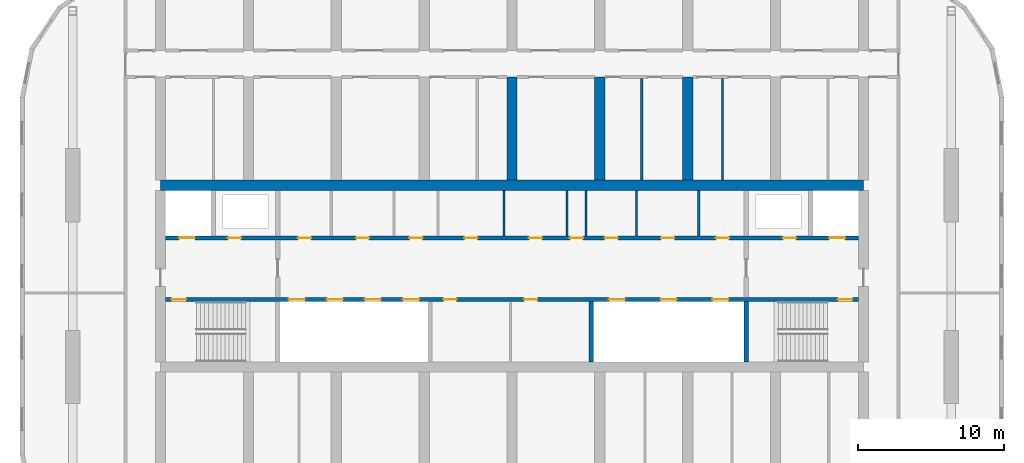
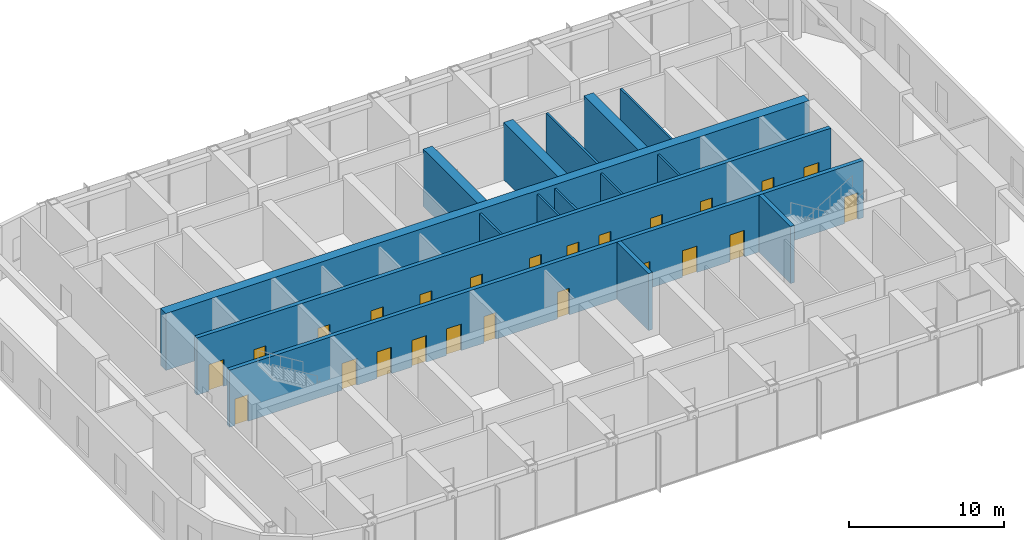
# One storey, part 13 of 21: 24 doors, 15 walls, 24 openings.
"""IFC4 building model written with IfcOpenShell, lengths in metres."""

from ifc_helpers import new_model, si_unit, direction, frame, frame_2d, origin, place, context, subcontext, project, spatial, rectangle, extrude, material, layer, layer_set, type_object, element, fill, save


model = new_model("IFC4")

# Units and contexts
model_context = context("Model", 3, precision=1e-05, world=origin(), true_north=direction((0.0, 1.0)))
body_context = subcontext(model_context, "Body", "Model", "MODEL_VIEW")
ifc_project = project(units=[si_unit("LENGTHUNIT", "METRE"), si_unit("AREAUNIT", "SQUARE_METRE"), si_unit("VOLUMEUNIT", "CUBIC_METRE"), si_unit("PLANEANGLEUNIT", "RADIAN"), si_unit("MASSUNIT", "GRAM", prefix="KILO")], contexts=[model_context])

# Site, building, storey
site_placement = place(None, origin())
site = spatial("IfcSite", under=ifc_project, at=site_placement, CompositionType="ELEMENT")
building_placement = place(site_placement, origin())
building = spatial("IfcBuilding", under=site, at=building_placement, Name="Orbita Commons", CompositionType="ELEMENT")
storey_placement = place(building_placement, frame((0.0, 0.0, 257.800048828125)))
storey = spatial("IfcBuildingStorey", under=building, at=storey_placement, Name="L64", CompositionType="ELEMENT", Elevation=257.800048828125)

# Wall, openings, doors
ifc_material_1 = material(Name="Concrete C50/60", Category="concrete")
ifc_layer_1 = layer(ifc_material_1, 0.300048828125)
ifc_layer_set_1 = layer_set([ifc_layer_1], Name="Concrete C50/60")
wall_type_1 = type_object("IfcWallType", Name="Core inner wall 300 C50/60", PredefinedType="SHEAR", material=ifc_layer_set_1)
wall_1_placement = place(storey_placement, frame((18.35009765625, 30.39990234375, 0.0), z_axis=(0.0, 0.0, 1.0), x_axis=(1.0, 0.0, 0.0)))
wall_1 = element("IfcWall", 1, at=wall_1_placement, inside=storey, type_object=wall_type_1, Name="Lobby wall south L64", PredefinedType="SHEAR", context=body_context, shape_type="SweptSolid", body=[
    extrude(rectangle(XDim=47.2998046875, YDim=0.300048828125, at=frame_2d((23.64990234375, 0.0))), origin(), (0.0, 0.0, 1.0), 4.5),
])
opening_1_placement = place(wall_1_placement, frame((0.39990234375, 0.0, 0.0)))
opening_1 = element("IfcOpeningElement", 2, at=opening_1_placement, cuts=wall_1, Name="Opening D02", PredefinedType="OPENING", context=body_context, shape_type="SweptSolid", body=[
    extrude(rectangle(XDim=1.0, YDim=2.10009765625, at=frame_2d((0.5, 1.050048828125))), frame((0.0, 0.159912109375, 0.0), z_axis=(0.0, -1.0, 0.0), x_axis=(1.0, 0.0, 0.0)), (0.0, 0.0, 1.0), 0.320068359375),
])
opening_2_placement = place(wall_1_placement, frame((45.89990234375, 0.0, 0.0)))
opening_2 = element("IfcOpeningElement", 3, at=opening_2_placement, cuts=wall_1, Name="Opening D02", PredefinedType="OPENING", context=body_context, shape_type="SweptSolid", body=[
    extrude(rectangle(XDim=1.0, YDim=2.10009765625, at=frame_2d((0.5, 1.050048828125))), frame((0.0, 0.159912109375, 0.0), z_axis=(0.0, -1.0, 0.0), x_axis=(1.0, 0.0, 0.0)), (0.0, 0.0, 1.0), 0.320068359375),
])
opening_3_placement = place(wall_1_placement, frame((8.39990234375, 0.0, 0.0)))
opening_3 = element("IfcOpeningElement", 4, at=opening_3_placement, cuts=wall_1, Name="Opening LD02", PredefinedType="OPENING", context=body_context, shape_type="SweptSolid", body=[
    extrude(rectangle(XDim=1.10009765625, YDim=2.10009765625, at=frame_2d((0.550048828125, 1.050048828125))), frame((0.0, 0.159912109375, 0.0), z_axis=(0.0, -1.0, 0.0), x_axis=(1.0, 0.0, 0.0)), (0.0, 0.0, 1.0), 0.320068359375),
])
opening_4_placement = place(wall_1_placement, frame((11.0, 0.0, 0.0)))
opening_4 = element("IfcOpeningElement", 5, at=opening_4_placement, cuts=wall_1, Name="Opening LD02", PredefinedType="OPENING", context=body_context, shape_type="SweptSolid", body=[
    extrude(rectangle(XDim=1.10009765625, YDim=2.10009765625, at=frame_2d((0.550048828125, 1.050048828125))), frame((0.0, 0.159912109375, 0.0), z_axis=(0.0, -1.0, 0.0), x_axis=(1.0, 0.0, 0.0)), (0.0, 0.0, 1.0), 0.320068359375),
])
opening_5_placement = place(wall_1_placement, frame((13.60009765625, 0.0, 0.0)))
opening_5 = element("IfcOpeningElement", 6, at=opening_5_placement, cuts=wall_1, Name="Opening LD02", PredefinedType="OPENING", context=body_context, shape_type="SweptSolid", body=[
    extrude(rectangle(XDim=1.10009765625, YDim=2.10009765625, at=frame_2d((0.550048828125, 1.050048828125))), frame((0.0, 0.159912109375, 0.0), z_axis=(0.0, -1.0, 0.0), x_axis=(1.0, 0.0, 0.0)), (0.0, 0.0, 1.0), 0.320068359375),
])
opening_6_placement = place(wall_1_placement, frame((16.199951171875, 0.0, 0.0)))
opening_6 = element("IfcOpeningElement", 7, at=opening_6_placement, cuts=wall_1, Name="Opening LD02", PredefinedType="OPENING", context=body_context, shape_type="SweptSolid", body=[
    extrude(rectangle(XDim=1.10009765625, YDim=2.10009765625, at=frame_2d((0.550048828125, 1.050048828125))), frame((0.0, 0.159912109375, 0.0), z_axis=(0.0, -1.0, 0.0), x_axis=(1.0, 0.0, 0.0)), (0.0, 0.0, 1.0), 0.320068359375),
])
opening_7_placement = place(wall_1_placement, frame((18.97509765625, 0.0, 0.0)))
opening_7 = element("IfcOpeningElement", 8, at=opening_7_placement, cuts=wall_1, Name="Opening D05", PredefinedType="OPENING", context=body_context, shape_type="SweptSolid", body=[
    extrude(rectangle(XDim=0.89990234375, YDim=2.10009765625, at=frame_2d((0.449951171875, 1.050048828125))), frame((0.0, 0.159912109375, 0.0), z_axis=(0.0, -1.0, 0.0), x_axis=(1.0, 0.0, 0.0)), (0.0, 0.0, 1.0), 0.320068359375),
])
opening_8_placement = place(wall_1_placement, frame((24.47509765625, 0.0, 0.0)))
opening_8 = element("IfcOpeningElement", 9, at=opening_8_placement, cuts=wall_1, Name="Opening D05", PredefinedType="OPENING", context=body_context, shape_type="SweptSolid", body=[
    extrude(rectangle(XDim=0.89990234375, YDim=2.10009765625, at=frame_2d((0.449951171875, 1.050048828125))), frame((0.0, 0.159912109375, 0.0), z_axis=(0.0, -1.0, 0.0), x_axis=(1.0, 0.0, 0.0)), (0.0, 0.0, 1.0), 0.320068359375),
])
opening_9_placement = place(wall_1_placement, frame((30.2666015625, 0.0, 0.0)))
opening_9 = element("IfcOpeningElement", 10, at=opening_9_placement, cuts=wall_1, Name="Opening LD02", PredefinedType="OPENING", context=body_context, shape_type="SweptSolid", body=[
    extrude(rectangle(XDim=1.10009765625, YDim=2.10009765625, at=frame_2d((0.550048828125, 1.050048828125))), frame((0.0, 0.159912109375, 0.0), z_axis=(0.0, -1.0, 0.0), x_axis=(1.0, 0.0, 0.0)), (0.0, 0.0, 1.0), 0.320068359375),
])
opening_10_placement = place(wall_1_placement, frame((33.800048828125, 0.0, 0.0)))
opening_10 = element("IfcOpeningElement", 11, at=opening_10_placement, cuts=wall_1, Name="Opening LD02", PredefinedType="OPENING", context=body_context, shape_type="SweptSolid", body=[
    extrude(rectangle(XDim=1.10009765625, YDim=2.10009765625, at=frame_2d((0.550048828125, 1.050048828125))), frame((0.0, 0.159912109375, 0.0), z_axis=(0.0, -1.0, 0.0), x_axis=(1.0, 0.0, 0.0)), (0.0, 0.0, 1.0), 0.320068359375),
])
opening_11_placement = place(wall_1_placement, frame((37.333251953125, 0.0, 0.0)))
opening_11 = element("IfcOpeningElement", 12, at=opening_11_placement, cuts=wall_1, Name="Opening LD02", PredefinedType="OPENING", context=body_context, shape_type="SweptSolid", body=[
    extrude(rectangle(XDim=1.10009765625, YDim=2.10009765625, at=frame_2d((0.550048828125, 1.050048828125))), frame((0.0, 0.159912109375, 0.0), z_axis=(0.0, -1.0, 0.0), x_axis=(1.0, 0.0, 0.0)), (0.0, 0.0, 1.0), 0.320068359375),
])
ifc_material_2 = material(Name="Steel-faced fire door leaf", Category="steel")
door_type_1 = type_object("IfcDoorType", Name="Fire door 90 min 1000x2100", OperationType="SINGLE_SWING_LEFT", PredefinedType="DOOR", material=ifc_material_2)
door_1_placement = place(opening_1_placement, origin())
door_1 = element("IfcDoor", 13, at=door_1_placement, inside=storey, type_object=door_type_1, Name="Stair S1 door", OperationType="SINGLE_SWING_LEFT", OverallHeight=2.10009765625, OverallWidth=1.0, PredefinedType="DOOR", context=body_context, shape_type="SweptSolid", body=[
    extrude(rectangle(XDim=1.0, YDim=2.10009765625, at=frame_2d((0.5, 1.050048828125))), frame((0.0, 0.02490234375, 0.0), z_axis=(0.0, -1.0, 0.0), x_axis=(1.0, 0.0, 0.0)), (0.0, 0.0, 1.0), 0.050048828125),
])
fill(opening_1, door_1)
door_2_placement = place(opening_2_placement, origin())
door_2 = element("IfcDoor", 14, at=door_2_placement, inside=storey, type_object=door_type_1, Name="Stair S2 door", OperationType="SINGLE_SWING_LEFT", OverallHeight=2.10009765625, OverallWidth=1.0, PredefinedType="DOOR", context=body_context, shape_type="SweptSolid", body=[
    extrude(rectangle(XDim=1.0, YDim=2.10009765625, at=frame_2d((0.5, 1.050048828125))), frame((0.0, 0.02490234375, 0.0), z_axis=(0.0, -1.0, 0.0), x_axis=(1.0, 0.0, 0.0)), (0.0, 0.0, 1.0), 0.050048828125),
])
fill(opening_2, door_2)
ifc_material_3 = material(Name="Steel-faced fire door leaf", Category="steel")
door_type_2 = type_object("IfcDoorType", Name="Lift landing door 1100x2100", OperationType="DOUBLE_DOOR_SLIDING", PredefinedType="DOOR", material=ifc_material_3)
door_3_placement = place(opening_3_placement, origin())
door_3 = element("IfcDoor", 15, at=door_3_placement, inside=storey, type_object=door_type_2, Name="Lift P41 landing door", OperationType="DOUBLE_DOOR_SLIDING", OverallHeight=2.10009765625, OverallWidth=1.10009765625, PredefinedType="DOOR", context=body_context, shape_type="SweptSolid", body=[
    extrude(rectangle(XDim=1.10009765625, YDim=2.10009765625, at=frame_2d((0.550048828125, 1.050048828125))), frame((0.0, 0.02490234375, 0.0), z_axis=(0.0, -1.0, 0.0), x_axis=(1.0, 0.0, 0.0)), (0.0, 0.0, 1.0), 0.050048828125),
])
fill(opening_3, door_3)
door_4_placement = place(opening_4_placement, origin())
door_4 = element("IfcDoor", 16, at=door_4_placement, inside=storey, type_object=door_type_2, Name="Lift P42 landing door", OperationType="DOUBLE_DOOR_SLIDING", OverallHeight=2.10009765625, OverallWidth=1.10009765625, PredefinedType="DOOR", context=body_context, shape_type="SweptSolid", body=[
    extrude(rectangle(XDim=1.10009765625, YDim=2.10009765625, at=frame_2d((0.550048828125, 1.050048828125))), frame((0.0, 0.02490234375, 0.0), z_axis=(0.0, -1.0, 0.0), x_axis=(1.0, 0.0, 0.0)), (0.0, 0.0, 1.0), 0.050048828125),
])
fill(opening_4, door_4)
door_5_placement = place(opening_5_placement, origin())
door_5 = element("IfcDoor", 17, at=door_5_placement, inside=storey, type_object=door_type_2, Name="Lift P43 landing door", OperationType="DOUBLE_DOOR_SLIDING", OverallHeight=2.10009765625, OverallWidth=1.10009765625, PredefinedType="DOOR", context=body_context, shape_type="SweptSolid", body=[
    extrude(rectangle(XDim=1.10009765625, YDim=2.10009765625, at=frame_2d((0.550048828125, 1.050048828125))), frame((0.0, 0.02490234375, 0.0), z_axis=(0.0, -1.0, 0.0), x_axis=(1.0, 0.0, 0.0)), (0.0, 0.0, 1.0), 0.050048828125),
])
fill(opening_5, door_5)
door_6_placement = place(opening_6_placement, origin())
door_6 = element("IfcDoor", 18, at=door_6_placement, inside=storey, type_object=door_type_2, Name="Lift P44 landing door", OperationType="DOUBLE_DOOR_SLIDING", OverallHeight=2.10009765625, OverallWidth=1.10009765625, PredefinedType="DOOR", context=body_context, shape_type="SweptSolid", body=[
    extrude(rectangle(XDim=1.10009765625, YDim=2.10009765625, at=frame_2d((0.550048828125, 1.050048828125))), frame((0.0, 0.02490234375, 0.0), z_axis=(0.0, -1.0, 0.0), x_axis=(1.0, 0.0, 0.0)), (0.0, 0.0, 1.0), 0.050048828125),
])
fill(opening_6, door_6)
door_7_placement = place(opening_9_placement, origin())
door_7 = element("IfcDoor", 19, at=door_7_placement, inside=storey, type_object=door_type_2, Name="Lift SV1 landing door", OperationType="DOUBLE_DOOR_SLIDING", OverallHeight=2.10009765625, OverallWidth=1.10009765625, PredefinedType="DOOR", context=body_context, shape_type="SweptSolid", body=[
    extrude(rectangle(XDim=1.10009765625, YDim=2.10009765625, at=frame_2d((0.550048828125, 1.050048828125))), frame((0.0, 0.02490234375, 0.0), z_axis=(0.0, -1.0, 0.0), x_axis=(1.0, 0.0, 0.0)), (0.0, 0.0, 1.0), 0.050048828125),
])
fill(opening_9, door_7)
door_8_placement = place(opening_10_placement, origin())
door_8 = element("IfcDoor", 20, at=door_8_placement, inside=storey, type_object=door_type_2, Name="Lift SV2 landing door", OperationType="DOUBLE_DOOR_SLIDING", OverallHeight=2.10009765625, OverallWidth=1.10009765625, PredefinedType="DOOR", context=body_context, shape_type="SweptSolid", body=[
    extrude(rectangle(XDim=1.10009765625, YDim=2.10009765625, at=frame_2d((0.550048828125, 1.050048828125))), frame((0.0, 0.02490234375, 0.0), z_axis=(0.0, -1.0, 0.0), x_axis=(1.0, 0.0, 0.0)), (0.0, 0.0, 1.0), 0.050048828125),
])
fill(opening_10, door_8)
door_9_placement = place(opening_11_placement, origin())
door_9 = element("IfcDoor", 21, at=door_9_placement, inside=storey, type_object=door_type_2, Name="Lift SV3 landing door", OperationType="DOUBLE_DOOR_SLIDING", OverallHeight=2.10009765625, OverallWidth=1.10009765625, PredefinedType="DOOR", context=body_context, shape_type="SweptSolid", body=[
    extrude(rectangle(XDim=1.10009765625, YDim=2.10009765625, at=frame_2d((0.550048828125, 1.050048828125))), frame((0.0, 0.02490234375, 0.0), z_axis=(0.0, -1.0, 0.0), x_axis=(1.0, 0.0, 0.0)), (0.0, 0.0, 1.0), 0.050048828125),
])
fill(opening_11, door_9)
ifc_material_4 = material(Name="Steel-faced fire door leaf", Category="steel")
door_type_3 = type_object("IfcDoorType", Name="Service door 20 min 900x2100", OperationType="SINGLE_SWING_LEFT", PredefinedType="DOOR", material=ifc_material_4)
door_10_placement = place(opening_7_placement, origin())
door_10 = element("IfcDoor", 22, at=door_10_placement, inside=storey, type_object=door_type_3, Name="Housekeeping store door", OperationType="SINGLE_SWING_LEFT", OverallHeight=2.10009765625, OverallWidth=0.89990234375, PredefinedType="DOOR", context=body_context, shape_type="SweptSolid", body=[
    extrude(rectangle(XDim=0.89990234375, YDim=2.10009765625, at=frame_2d((0.449951171875, 1.050048828125))), frame((0.0, 0.02490234375, 0.0), z_axis=(0.0, -1.0, 0.0), x_axis=(1.0, 0.0, 0.0)), (0.0, 0.0, 1.0), 0.050048828125),
])
fill(opening_7, door_10)
door_11_placement = place(opening_8_placement, origin())
door_11 = element("IfcDoor", 23, at=door_11_placement, inside=storey, type_object=door_type_3, Name="Linen store door", OperationType="SINGLE_SWING_LEFT", OverallHeight=2.10009765625, OverallWidth=0.89990234375, PredefinedType="DOOR", context=body_context, shape_type="SweptSolid", body=[
    extrude(rectangle(XDim=0.89990234375, YDim=2.10009765625, at=frame_2d((0.449951171875, 1.050048828125))), frame((0.0, 0.02490234375, 0.0), z_axis=(0.0, -1.0, 0.0), x_axis=(1.0, 0.0, 0.0)), (0.0, 0.0, 1.0), 0.050048828125),
])
fill(opening_8, door_11)

wall_2_placement = place(storey_placement, frame((18.35009765625, 34.60009765625, 0.0), z_axis=(0.0, 0.0, 1.0), x_axis=(1.0, 0.0, 0.0)))
wall_2 = element("IfcWall", 24, at=wall_2_placement, inside=storey, type_object=wall_type_1, Name="Lobby wall north L64", PredefinedType="SHEAR", context=body_context, shape_type="SweptSolid", body=[
    extrude(rectangle(XDim=47.2998046875, YDim=0.300048828125, at=frame_2d((23.64990234375, 0.0))), origin(), (0.0, 0.0, 1.0), 4.5),
])
opening_12_placement = place(wall_2_placement, frame((0.89990234375, 0.0, 0.0)))
opening_12 = element("IfcOpeningElement", 25, at=opening_12_placement, cuts=wall_2, Name="Opening LD01", PredefinedType="OPENING", context=body_context, shape_type="SweptSolid", body=[
    extrude(rectangle(XDim=1.10009765625, YDim=2.10009765625, at=frame_2d((0.550048828125, 1.050048828125))), frame((0.0, 0.159912109375, 0.0), z_axis=(0.0, -1.0, 0.0), x_axis=(1.0, 0.0, 0.0)), (0.0, 0.0, 1.0), 0.320068359375),
])
opening_13_placement = place(wall_2_placement, frame((45.300048828125, 0.0, 0.0)))
opening_13 = element("IfcOpeningElement", 26, at=opening_13_placement, cuts=wall_2, Name="Opening LD01", PredefinedType="OPENING", context=body_context, shape_type="SweptSolid", body=[
    extrude(rectangle(XDim=1.10009765625, YDim=2.10009765625, at=frame_2d((0.550048828125, 1.050048828125))), frame((0.0, 0.159912109375, 0.0), z_axis=(0.0, -1.0, 0.0), x_axis=(1.0, 0.0, 0.0)), (0.0, 0.0, 1.0), 0.320068359375),
])
opening_14_placement = place(wall_2_placement, frame((4.25, 0.0, 0.0)))
opening_14 = element("IfcOpeningElement", 27, at=opening_14_placement, cuts=wall_2, Name="Opening D03", PredefinedType="OPENING", context=body_context, shape_type="SweptSolid", body=[
    extrude(rectangle(XDim=0.89990234375, YDim=2.10009765625, at=frame_2d((0.449951171875, 1.050048828125))), frame((0.0, 0.159912109375, 0.0), z_axis=(0.0, -1.0, 0.0), x_axis=(1.0, 0.0, 0.0)), (0.0, 0.0, 1.0), 0.320068359375),
])
opening_15_placement = place(wall_2_placement, frame((42.14990234375, 0.0, 0.0)))
opening_15 = element("IfcOpeningElement", 28, at=opening_15_placement, cuts=wall_2, Name="Opening D03", PredefinedType="OPENING", context=body_context, shape_type="SweptSolid", body=[
    extrude(rectangle(XDim=0.89990234375, YDim=2.10009765625, at=frame_2d((0.449951171875, 1.050048828125))), frame((0.0, 0.159912109375, 0.0), z_axis=(0.0, -1.0, 0.0), x_axis=(1.0, 0.0, 0.0)), (0.0, 0.0, 1.0), 0.320068359375),
])
opening_16_placement = place(wall_2_placement, frame((9.025390625, 0.0, 0.0)))
opening_16 = element("IfcOpeningElement", 29, at=opening_16_placement, cuts=wall_2, Name="Opening D05", PredefinedType="OPENING", context=body_context, shape_type="SweptSolid", body=[
    extrude(rectangle(XDim=0.89990234375, YDim=2.10009765625, at=frame_2d((0.449951171875, 1.050048828125))), frame((0.0, 0.159912109375, 0.0), z_axis=(0.0, -1.0, 0.0), x_axis=(1.0, 0.0, 0.0)), (0.0, 0.0, 1.0), 0.320068359375),
])
opening_17_placement = place(wall_2_placement, frame((12.998779296875, 0.0, 0.0)))
opening_17 = element("IfcOpeningElement", 30, at=opening_17_placement, cuts=wall_2, Name="Opening D03", PredefinedType="OPENING", context=body_context, shape_type="SweptSolid", body=[
    extrude(rectangle(XDim=0.89990234375, YDim=2.10009765625, at=frame_2d((0.449951171875, 1.050048828125))), frame((0.0, 0.159912109375, 0.0), z_axis=(0.0, -1.0, 0.0), x_axis=(1.0, 0.0, 0.0)), (0.0, 0.0, 1.0), 0.320068359375),
])
opening_18_placement = place(wall_2_placement, frame((16.646240234375, 0.0, 0.0)))
opening_18 = element("IfcOpeningElement", 31, at=opening_18_placement, cuts=wall_2, Name="Opening D03", PredefinedType="OPENING", context=body_context, shape_type="SweptSolid", body=[
    extrude(rectangle(XDim=0.89990234375, YDim=2.10009765625, at=frame_2d((0.449951171875, 1.050048828125))), frame((0.0, 0.159912109375, 0.0), z_axis=(0.0, -1.0, 0.0), x_axis=(1.0, 0.0, 0.0)), (0.0, 0.0, 1.0), 0.320068359375),
])
opening_19_placement = place(wall_2_placement, frame((20.40478515625, 0.0, 0.0)))
opening_19 = element("IfcOpeningElement", 32, at=opening_19_placement, cuts=wall_2, Name="Opening D03", PredefinedType="OPENING", context=body_context, shape_type="SweptSolid", body=[
    extrude(rectangle(XDim=0.89990234375, YDim=2.10009765625, at=frame_2d((0.449951171875, 1.050048828125))), frame((0.0, 0.159912109375, 0.0), z_axis=(0.0, -1.0, 0.0), x_axis=(1.0, 0.0, 0.0)), (0.0, 0.0, 1.0), 0.320068359375),
])
opening_20_placement = place(wall_2_placement, frame((24.810791015625, 0.0, 0.0)))
opening_20 = element("IfcOpeningElement", 33, at=opening_20_placement, cuts=wall_2, Name="Opening D03", PredefinedType="OPENING", context=body_context, shape_type="SweptSolid", body=[
    extrude(rectangle(XDim=0.89990234375, YDim=2.10009765625, at=frame_2d((0.449951171875, 1.050048828125))), frame((0.0, 0.159912109375, 0.0), z_axis=(0.0, -1.0, 0.0), x_axis=(1.0, 0.0, 0.0)), (0.0, 0.0, 1.0), 0.320068359375),
])
opening_21_placement = place(wall_2_placement, frame((27.6083984375, 0.0, 0.0)))
opening_21 = element("IfcOpeningElement", 34, at=opening_21_placement, cuts=wall_2, Name="Opening D03", PredefinedType="OPENING", context=body_context, shape_type="SweptSolid", body=[
    extrude(rectangle(XDim=0.89990234375, YDim=2.10009765625, at=frame_2d((0.449951171875, 1.050048828125))), frame((0.0, 0.159912109375, 0.0), z_axis=(0.0, -1.0, 0.0), x_axis=(1.0, 0.0, 0.0)), (0.0, 0.0, 1.0), 0.320068359375),
])
opening_22_placement = place(wall_2_placement, frame((29.980712890625, 0.0, 0.0)))
opening_22 = element("IfcOpeningElement", 35, at=opening_22_placement, cuts=wall_2, Name="Opening D03", PredefinedType="OPENING", context=body_context, shape_type="SweptSolid", body=[
    extrude(rectangle(XDim=0.89990234375, YDim=2.10009765625, at=frame_2d((0.449951171875, 1.050048828125))), frame((0.0, 0.159912109375, 0.0), z_axis=(0.0, -1.0, 0.0), x_axis=(1.0, 0.0, 0.0)), (0.0, 0.0, 1.0), 0.320068359375),
])
opening_23_placement = place(wall_2_placement, frame((33.83056640625, 0.0, 0.0)))
opening_23 = element("IfcOpeningElement", 36, at=opening_23_placement, cuts=wall_2, Name="Opening D05", PredefinedType="OPENING", context=body_context, shape_type="SweptSolid", body=[
    extrude(rectangle(XDim=0.89990234375, YDim=2.10009765625, at=frame_2d((0.449951171875, 1.050048828125))), frame((0.0, 0.159912109375, 0.0), z_axis=(0.0, -1.0, 0.0), x_axis=(1.0, 0.0, 0.0)), (0.0, 0.0, 1.0), 0.320068359375),
])
opening_24_placement = place(wall_2_placement, frame((37.5791015625, 0.0, 0.0)))
opening_24 = element("IfcOpeningElement", 37, at=opening_24_placement, cuts=wall_2, Name="Opening D03", PredefinedType="OPENING", context=body_context, shape_type="SweptSolid", body=[
    extrude(rectangle(XDim=0.89990234375, YDim=2.10009765625, at=frame_2d((0.449951171875, 1.050048828125))), frame((0.0, 0.159912109375, 0.0), z_axis=(0.0, -1.0, 0.0), x_axis=(1.0, 0.0, 0.0)), (0.0, 0.0, 1.0), 0.320068359375),
])
ifc_material_5 = material(Name="Steel-faced fire door leaf", Category="steel")
door_type_4 = type_object("IfcDoorType", Name="Firefighting lift landing door 1100x2100", OperationType="DOUBLE_DOOR_SLIDING", PredefinedType="DOOR", material=ifc_material_5)
door_12_placement = place(opening_12_placement, origin())
door_12 = element("IfcDoor", 38, at=door_12_placement, inside=storey, type_object=door_type_4, Name="Firefighting lift FL1 landing door", OperationType="DOUBLE_DOOR_SLIDING", OverallHeight=2.10009765625, OverallWidth=1.10009765625, PredefinedType="DOOR", context=body_context, shape_type="SweptSolid", body=[
    extrude(rectangle(XDim=1.10009765625, YDim=2.10009765625, at=frame_2d((0.550048828125, 1.050048828125))), frame((0.0, 0.02490234375, 0.0), z_axis=(0.0, -1.0, 0.0), x_axis=(1.0, 0.0, 0.0)), (0.0, 0.0, 1.0), 0.050048828125),
])
fill(opening_12, door_12)
door_13_placement = place(opening_13_placement, origin())
door_13 = element("IfcDoor", 39, at=door_13_placement, inside=storey, type_object=door_type_4, Name="Firefighting lift FL2 landing door", OperationType="DOUBLE_DOOR_SLIDING", OverallHeight=2.10009765625, OverallWidth=1.10009765625, PredefinedType="DOOR", context=body_context, shape_type="SweptSolid", body=[
    extrude(rectangle(XDim=1.10009765625, YDim=2.10009765625, at=frame_2d((0.550048828125, 1.050048828125))), frame((0.0, 0.02490234375, 0.0), z_axis=(0.0, -1.0, 0.0), x_axis=(1.0, 0.0, 0.0)), (0.0, 0.0, 1.0), 0.050048828125),
])
fill(opening_13, door_13)
door_14_placement = place(opening_16_placement, origin())
door_14 = element("IfcDoor", 40, at=door_14_placement, inside=storey, type_object=door_type_3, Name="Accessible WC door", OperationType="SINGLE_SWING_LEFT", OverallHeight=2.10009765625, OverallWidth=0.89990234375, PredefinedType="DOOR", context=body_context, shape_type="SweptSolid", body=[
    extrude(rectangle(XDim=0.89990234375, YDim=2.10009765625, at=frame_2d((0.449951171875, 1.050048828125))), frame((0.0, 0.02490234375, 0.0), z_axis=(0.0, -1.0, 0.0), x_axis=(1.0, 0.0, 0.0)), (0.0, 0.0, 1.0), 0.050048828125),
])
fill(opening_16, door_14)
door_15_placement = place(opening_23_placement, origin())
door_15 = element("IfcDoor", 41, at=door_15_placement, inside=storey, type_object=door_type_3, Name="Guest pantry door", OperationType="SINGLE_SWING_LEFT", OverallHeight=2.10009765625, OverallWidth=0.89990234375, PredefinedType="DOOR", context=body_context, shape_type="SweptSolid", body=[
    extrude(rectangle(XDim=0.89990234375, YDim=2.10009765625, at=frame_2d((0.449951171875, 1.050048828125))), frame((0.0, 0.02490234375, 0.0), z_axis=(0.0, -1.0, 0.0), x_axis=(1.0, 0.0, 0.0)), (0.0, 0.0, 1.0), 0.050048828125),
])
fill(opening_23, door_15)
ifc_material_6 = material(Name="Steel-faced fire door leaf", Category="steel")
door_type_5 = type_object("IfcDoorType", Name="Shaft access door 90 min 900x2100", OperationType="SINGLE_SWING_LEFT", PredefinedType="DOOR", material=ifc_material_6)
door_16_placement = place(opening_14_placement, origin())
door_16 = element("IfcDoor", 42, at=door_16_placement, inside=storey, type_object=door_type_5, Name="Riser door west", OperationType="SINGLE_SWING_LEFT", OverallHeight=2.10009765625, OverallWidth=0.89990234375, PredefinedType="DOOR", context=body_context, shape_type="SweptSolid", body=[
    extrude(rectangle(XDim=0.89990234375, YDim=2.10009765625, at=frame_2d((0.449951171875, 1.050048828125))), frame((0.0, 0.02490234375, 0.0), z_axis=(0.0, -1.0, 0.0), x_axis=(1.0, 0.0, 0.0)), (0.0, 0.0, 1.0), 0.050048828125),
])
fill(opening_14, door_16)
door_17_placement = place(opening_15_placement, origin())
door_17 = element("IfcDoor", 43, at=door_17_placement, inside=storey, type_object=door_type_5, Name="Riser door east", OperationType="SINGLE_SWING_LEFT", OverallHeight=2.10009765625, OverallWidth=0.89990234375, PredefinedType="DOOR", context=body_context, shape_type="SweptSolid", body=[
    extrude(rectangle(XDim=0.89990234375, YDim=2.10009765625, at=frame_2d((0.449951171875, 1.050048828125))), frame((0.0, 0.02490234375, 0.0), z_axis=(0.0, -1.0, 0.0), x_axis=(1.0, 0.0, 0.0)), (0.0, 0.0, 1.0), 0.050048828125),
])
fill(opening_15, door_17)
door_18_placement = place(opening_17_placement, origin())
door_18 = element("IfcDoor", 44, at=door_18_placement, inside=storey, type_object=door_type_5, Name="Refuse chute room door", OperationType="SINGLE_SWING_LEFT", OverallHeight=2.10009765625, OverallWidth=0.89990234375, PredefinedType="DOOR", context=body_context, shape_type="SweptSolid", body=[
    extrude(rectangle(XDim=0.89990234375, YDim=2.10009765625, at=frame_2d((0.449951171875, 1.050048828125))), frame((0.0, 0.02490234375, 0.0), z_axis=(0.0, -1.0, 0.0), x_axis=(1.0, 0.0, 0.0)), (0.0, 0.0, 1.0), 0.050048828125),
])
fill(opening_17, door_18)
door_19_placement = place(opening_18_placement, origin())
door_19 = element("IfcDoor", 45, at=door_19_placement, inside=storey, type_object=door_type_5, Name="Electrical riser room door", OperationType="SINGLE_SWING_LEFT", OverallHeight=2.10009765625, OverallWidth=0.89990234375, PredefinedType="DOOR", context=body_context, shape_type="SweptSolid", body=[
    extrude(rectangle(XDim=0.89990234375, YDim=2.10009765625, at=frame_2d((0.449951171875, 1.050048828125))), frame((0.0, 0.02490234375, 0.0), z_axis=(0.0, -1.0, 0.0), x_axis=(1.0, 0.0, 0.0)), (0.0, 0.0, 1.0), 0.050048828125),
])
fill(opening_18, door_19)
door_20_placement = place(opening_19_placement, origin())
door_20 = element("IfcDoor", 46, at=door_20_placement, inside=storey, type_object=door_type_5, Name="Storage room door", OperationType="SINGLE_SWING_LEFT", OverallHeight=2.10009765625, OverallWidth=0.89990234375, PredefinedType="DOOR", context=body_context, shape_type="SweptSolid", body=[
    extrude(rectangle(XDim=0.89990234375, YDim=2.10009765625, at=frame_2d((0.449951171875, 1.050048828125))), frame((0.0, 0.02490234375, 0.0), z_axis=(0.0, -1.0, 0.0), x_axis=(1.0, 0.0, 0.0)), (0.0, 0.0, 1.0), 0.050048828125),
])
fill(opening_19, door_20)
door_21_placement = place(opening_20_placement, origin())
door_21 = element("IfcDoor", 47, at=door_21_placement, inside=storey, type_object=door_type_5, Name="Communications room door", OperationType="SINGLE_SWING_LEFT", OverallHeight=2.10009765625, OverallWidth=0.89990234375, PredefinedType="DOOR", context=body_context, shape_type="SweptSolid", body=[
    extrude(rectangle(XDim=0.89990234375, YDim=2.10009765625, at=frame_2d((0.449951171875, 1.050048828125))), frame((0.0, 0.02490234375, 0.0), z_axis=(0.0, -1.0, 0.0), x_axis=(1.0, 0.0, 0.0)), (0.0, 0.0, 1.0), 0.050048828125),
])
fill(opening_20, door_21)
door_22_placement = place(opening_21_placement, origin())
door_22 = element("IfcDoor", 48, at=door_22_placement, inside=storey, type_object=door_type_5, Name="Stair pressurisation duct door", OperationType="SINGLE_SWING_LEFT", OverallHeight=2.10009765625, OverallWidth=0.89990234375, PredefinedType="DOOR", context=body_context, shape_type="SweptSolid", body=[
    extrude(rectangle(XDim=0.89990234375, YDim=2.10009765625, at=frame_2d((0.449951171875, 1.050048828125))), frame((0.0, 0.02490234375, 0.0), z_axis=(0.0, -1.0, 0.0), x_axis=(1.0, 0.0, 0.0)), (0.0, 0.0, 1.0), 0.050048828125),
])
fill(opening_21, door_22)
door_23_placement = place(opening_22_placement, origin())
door_23 = element("IfcDoor", 49, at=door_23_placement, inside=storey, type_object=door_type_5, Name="IT room door", OperationType="SINGLE_SWING_LEFT", OverallHeight=2.10009765625, OverallWidth=0.89990234375, PredefinedType="DOOR", context=body_context, shape_type="SweptSolid", body=[
    extrude(rectangle(XDim=0.89990234375, YDim=2.10009765625, at=frame_2d((0.449951171875, 1.050048828125))), frame((0.0, 0.02490234375, 0.0), z_axis=(0.0, -1.0, 0.0), x_axis=(1.0, 0.0, 0.0)), (0.0, 0.0, 1.0), 0.050048828125),
])
fill(opening_22, door_23)
door_24_placement = place(opening_24_placement, origin())
door_24 = element("IfcDoor", 50, at=door_24_placement, inside=storey, type_object=door_type_5, Name="Cleaners store door", OperationType="SINGLE_SWING_LEFT", OverallHeight=2.10009765625, OverallWidth=0.89990234375, PredefinedType="DOOR", context=body_context, shape_type="SweptSolid", body=[
    extrude(rectangle(XDim=0.89990234375, YDim=2.10009765625, at=frame_2d((0.449951171875, 1.050048828125))), frame((0.0, 0.02490234375, 0.0), z_axis=(0.0, -1.0, 0.0), x_axis=(1.0, 0.0, 0.0)), (0.0, 0.0, 1.0), 0.050048828125),
])
fill(opening_24, door_24)

# Walls
for number, where, z_axis, x_axis, name in (
    (51, (58.0, 26.14990234375, 0.0), (0.0, 0.0, 1.0), (0.0, 1.0, 0.0), "Stair S2 wall L64"),
    (52, (47.39990234375, 26.14990234375, 0.0), (0.0, 0.0, 1.0), (0.0, 1.0, 0.0), "Hoistway division wall L64"),
):
    element("IfcWall", number, at=place(storey_placement, frame(where, z_axis=z_axis, x_axis=x_axis)), inside=storey, type_object=wall_type_1, Name=name, PredefinedType="SHEAR", context=body_context, shape_type="SweptSolid", body=[
        extrude(rectangle(XDim=4.10009765625, YDim=0.300048828125, at=frame_2d((2.050048828125, 0.0))), origin(), (0.0, 0.0, 1.0), 4.5),
    ])
ifc_material_7 = material(Name="Concrete blockwork", Category="masonry")
ifc_layer_2 = layer(ifc_material_7, 0.14990234375)
ifc_layer_set_2 = layer_set([ifc_layer_2], Name="Concrete blockwork")
wall_type_2 = type_object("IfcWallType", Name="Core partition 150 blockwork", PredefinedType="SOLIDWALL", material=ifc_layer_set_2)
for number, where, z_axis, x_axis, name in (
    (53, (41.463134765625, 34.75, 0.0), (0.0, 0.0, 1.0), (0.0, 1.0, 0.0), "Core partition 150 blockwork L64"),
    (54, (45.75830078125, 34.75, 0.0), (0.0, 0.0, 1.0), (0.0, 1.0, 0.0), "Core partition 150 blockwork L64"),
    (55, (47.058349609375, 34.75, 0.0), (0.0, 0.0, 1.0), (0.0, 1.0, 0.0), "Core partition 150 blockwork L64"),
    (56, (50.5029296875, 34.75, 0.0), (0.0, 0.0, 1.0), (0.0, 1.0, 0.0), "Core partition 150 blockwork L64"),
    (57, (54.758056640625, 34.75, 0.0), (0.0, 0.0, 1.0), (0.0, 1.0, 0.0), "Core partition 150 blockwork L64"),
):
    element("IfcWall", number, at=place(storey_placement, frame(where, z_axis=z_axis, x_axis=x_axis)), inside=storey, type_object=wall_type_2, Name=name, PredefinedType="SOLIDWALL", context=body_context, shape_type="SweptSolid", body=[
        extrude(rectangle(XDim=3.10009765625, YDim=0.14990234375, at=frame_2d((1.550048828125, 0.0))), origin(), (0.0, 0.0, 1.0), 4.199951171875),
    ])
ifc_material_8 = material(Name="Concrete C50/60", Category="concrete")
ifc_layer_3 = layer(ifc_material_8, 0.699951171875)
ifc_layer_set_3 = layer_set([ifc_layer_3], Name="Concrete C50/60")
wall_type_3 = type_object("IfcWallType", Name="Core wall 700 C50/60", PredefinedType="SHEAR", material=ifc_layer_set_3)
wall_3_placement = place(storey_placement, frame((18.0, 38.199951171875, 0.0), z_axis=(0.0, 0.0, 1.0), x_axis=(1.0, 0.0, 0.0)))
element("IfcWall", 58, at=wall_3_placement, inside=storey, type_object=wall_type_3, Name="Core spine wall north L64", PredefinedType="SHEAR", context=body_context, shape_type="SweptSolid", body=[
    extrude(rectangle(XDim=48.0, YDim=0.699951171875, at=frame_2d((24.0, 0.0))), origin(), (0.0, 0.0, 1.0), 4.5),
])
ifc_material_9 = material(Name="Concrete C50/60", Category="concrete")
ifc_layer_4 = layer(ifc_material_9, 0.699951171875)
ifc_layer_set_4 = layer_set([ifc_layer_4], Name="Concrete C50/60")
wall_type_4 = type_object("IfcWallType", Name="Cross wall 700 C50/60", PredefinedType="SHEAR", material=ifc_layer_set_4)
for number, where, z_axis, x_axis, name in (
    (59, (42.0, 38.550048828125, 0.0), (0.0, 0.0, 1.0), (0.0, 1.0, 0.0), "Cross wall 8 north inner L64"),
    (60, (48.0, 38.550048828125, 0.0), (0.0, 0.0, 1.0), (0.0, 1.0, 0.0), "Cross wall 9 north inner L64"),
    (61, (54.0, 38.550048828125, 0.0), (0.0, 0.0, 1.0), (0.0, 1.0, 0.0), "Cross wall 10 north inner L64"),
):
    element("IfcWall", number, at=place(storey_placement, frame(where, z_axis=z_axis, x_axis=x_axis)), inside=storey, type_object=wall_type_4, Name=name, PredefinedType="SHEAR", context=body_context, shape_type="SweptSolid", body=[
        extrude(rectangle(XDim=7.050048828125, YDim=0.699951171875, at=frame_2d((3.52490234375, 0.0))), origin(), (0.0, 0.0, 1.0), 4.5),
    ])
ifc_material_10 = material(Name="Gypsum plasterboard on steel studs", Category="steel")
ifc_layer_5 = layer(ifc_material_10, 0.14990234375)
ifc_layer_set_5 = layer_set([ifc_layer_5], Name="Gypsum plasterboard on steel studs")
wall_type_5 = type_object("IfcWallType", Name="Partition 150 plasterboard", PredefinedType="PARTITIONING", material=ifc_layer_set_5)
for number, where, z_axis, x_axis, name in (
    (62, (50.860107421875, 38.550048828125, 0.0), (0.0, 0.0, 1.0), (0.0, 1.0, 0.0), "Partition 150 plasterboard L64"),
    (63, (56.3701171875, 38.550048828125, 0.0), (0.0, 0.0, 1.0), (0.0, 1.0, 0.0), "Partition 150 plasterboard L64"),
):
    element("IfcWall", number, at=place(storey_placement, frame(where, z_axis=z_axis, x_axis=x_axis)), inside=storey, type_object=wall_type_5, Name=name, PredefinedType="PARTITIONING", context=body_context, shape_type="SweptSolid", body=[
        extrude(rectangle(XDim=6.949951171875, YDim=0.14990234375, at=frame_2d((3.47509765625, 0.0))), origin(), (0.0, 0.0, 1.0), 4.199951171875),
    ])

save(model, "model.ifc")
